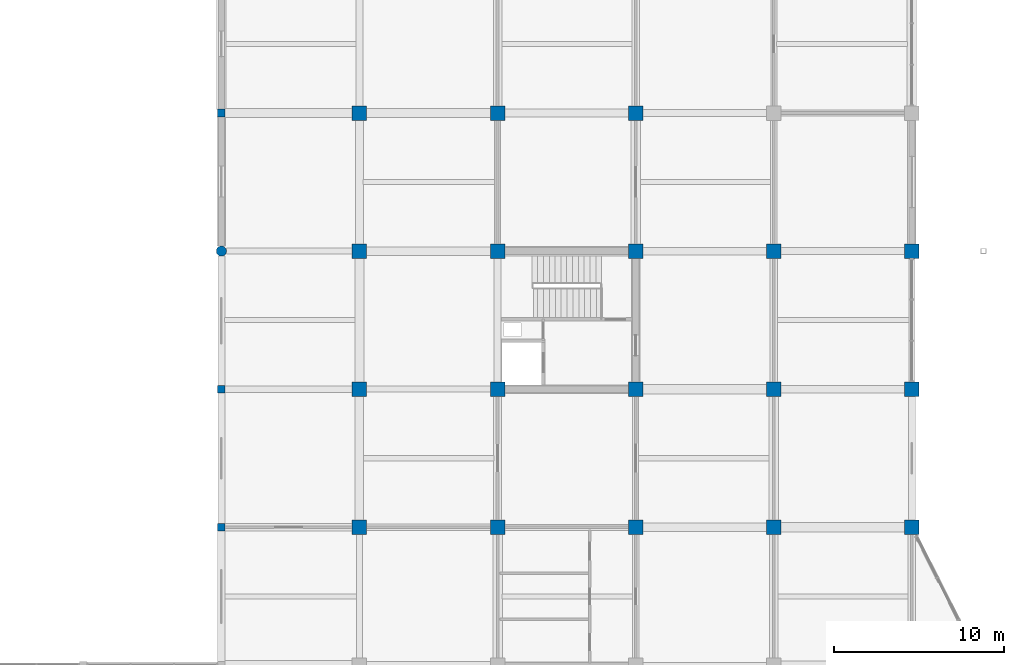
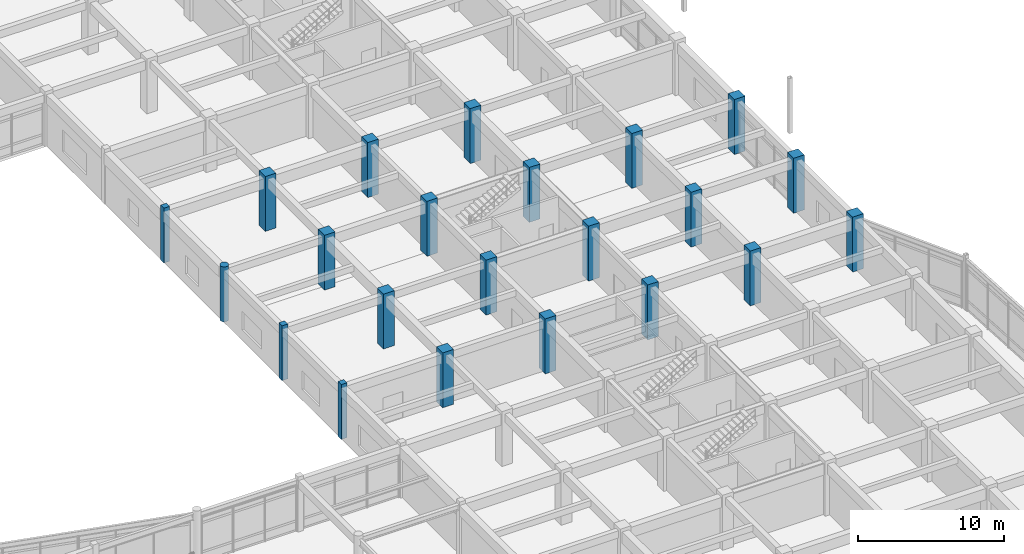
# One storey, part 10 of 93: 22 columns.
"""IFC4 building model written with IfcOpenShell, lengths in metres."""

from ifc_helpers import new_model, si_unit, direction, frame, origin, origin_2d, place, context, subcontext, project, spatial, rectangle, circle, extrude, material, material_profile, profile_set, type_object, element, save


model = new_model("IFC4")

# Units and contexts
model_context = context("Model", 3, precision=1e-05, world=origin(), true_north=direction((0.0, 1.0)))
body_context = subcontext(model_context, "Body", "Model", "MODEL_VIEW")
ifc_project = project(units=[si_unit("LENGTHUNIT", "METRE"), si_unit("AREAUNIT", "SQUARE_METRE"), si_unit("VOLUMEUNIT", "CUBIC_METRE"), si_unit("PLANEANGLEUNIT", "RADIAN"), si_unit("MASSUNIT", "GRAM", prefix="KILO")], contexts=[model_context])

# Site, building, storey
site_placement = place(None, origin())
site = spatial("IfcSite", under=ifc_project, at=site_placement, CompositionType="ELEMENT")
building_placement = place(site_placement, origin())
building = spatial("IfcBuilding", under=site, at=building_placement, Name="Vaudrelin Polytechnic", CompositionType="ELEMENT")
storey_placement = place(building_placement, frame((0.0, 0.0, 5.10009765625)))
storey = spatial("IfcBuildingStorey", under=building, at=storey_placement, Name="L01", CompositionType="ELEMENT", Elevation=5.10009765625)

# Columns
ifc_material_1 = material(Name="Concrete 40 MPa", Category="concrete")
ifc_material_profile_1 = material_profile(ifc_material_1, rectangle(XDim=0.449951171875, YDim=0.449951171875, at=origin_2d()), Name="RC450x450")
ifc_profile_set_1 = profile_set([ifc_material_profile_1], Name="Concrete 40 MPa")
column_type_1 = type_object("IfcColumnType", Name="COL-C-RC450", PredefinedType="COLUMN", material=ifc_profile_set_1)
for number, where, z_axis, x_axis, name in (
    (1, (129.60009765625, 56.699951171875, 0.0), (0.0, 0.0, 1.0), (1.0, 0.0, 0.0), "Column L01 17-8"),
    (2, (129.60009765625, 64.800048828125, 0.0), (0.0, 0.0, 1.0), (1.0, 0.0, 0.0), "Column L01 17-9"),
    (3, (129.60009765625, 81.0, 0.0), (0.0, 0.0, 1.0), (1.0, 0.0, 0.0), "Column L01 17-11"),
):
    element("IfcColumn", number, at=place(storey_placement, frame(where, z_axis=z_axis, x_axis=x_axis)), inside=storey, type_object=column_type_1, Name=name, PredefinedType="COLUMN", context=body_context, shape_type="SweptSolid", body=[
        extrude(rectangle(XDim=0.449951171875, YDim=0.449951171875, at=origin_2d()), origin(), (0.0, 0.0, 1.0), 4.58984375),
    ])
ifc_material_2 = material(Name="Concrete 50 MPa", Category="concrete")
ifc_material_profile_2 = material_profile(ifc_material_2, rectangle(XDim=0.85009765625, YDim=0.85009765625, at=origin_2d()), Name="RC850x850")
ifc_profile_set_2 = profile_set([ifc_material_profile_2], Name="Concrete 50 MPa")
column_type_2 = type_object("IfcColumnType", Name="COL-C-RC850", PredefinedType="COLUMN", material=ifc_profile_set_2)
for number, where, z_axis, x_axis, name in (
    (4, (137.699951171875, 56.699951171875, 0.0), (0.0, 0.0, 1.0), (1.0, 0.0, 0.0), "Column L01 18-8"),
    (5, (137.699951171875, 64.800048828125, 0.0), (0.0, 0.0, 1.0), (1.0, 0.0, 0.0), "Column L01 18-9"),
    (6, (137.699951171875, 72.89990234375, 0.0), (0.0, 0.0, 1.0), (1.0, 0.0, 0.0), "Column L01 18-10"),
    (7, (137.699951171875, 81.0, 0.0), (0.0, 0.0, 1.0), (1.0, 0.0, 0.0), "Column L01 18-11"),
    (8, (145.800048828125, 56.699951171875, 0.0), (0.0, 0.0, 1.0), (1.0, 0.0, 0.0), "Column L01 19-8"),
    (9, (145.800048828125, 64.800048828125, 0.0), (0.0, 0.0, 1.0), (1.0, 0.0, 0.0), "Column L01 19-9"),
    (10, (145.800048828125, 72.89990234375, 0.0), (0.0, 0.0, 1.0), (1.0, 0.0, 0.0), "Column L01 19-10"),
    (11, (145.800048828125, 81.0, 0.0), (0.0, 0.0, 1.0), (1.0, 0.0, 0.0), "Column L01 19-11"),
    (12, (153.89990234375, 56.699951171875, 0.0), (0.0, 0.0, 1.0), (1.0, 0.0, 0.0), "Column L01 20-8"),
    (13, (153.89990234375, 64.800048828125, 0.0), (0.0, 0.0, 1.0), (1.0, 0.0, 0.0), "Column L01 20-9"),
    (14, (153.89990234375, 72.89990234375, 0.0), (0.0, 0.0, 1.0), (1.0, 0.0, 0.0), "Column L01 20-10"),
    (15, (153.89990234375, 81.0, 0.0), (0.0, 0.0, 1.0), (1.0, 0.0, 0.0), "Column L01 20-11"),
    (16, (162.0, 56.699951171875, 0.0), (0.0, 0.0, 1.0), (1.0, 0.0, 0.0), "Column L01 21-8"),
    (17, (162.0, 64.800048828125, 0.0), (0.0, 0.0, 1.0), (1.0, 0.0, 0.0), "Column L01 21-9"),
    (18, (162.0, 72.89990234375, 0.0), (0.0, 0.0, 1.0), (1.0, 0.0, 0.0), "Column L01 21-10"),
    (19, (170.10009765625, 56.699951171875, 0.0), (0.0, 0.0, 1.0), (1.0, 0.0, 0.0), "Column L01 22-8"),
    (20, (170.10009765625, 64.800048828125, 0.0), (0.0, 0.0, 1.0), (1.0, 0.0, 0.0), "Column L01 22-9"),
    (21, (170.10009765625, 72.89990234375, 0.0), (0.0, 0.0, 1.0), (1.0, 0.0, 0.0), "Column L01 22-10"),
):
    element("IfcColumn", number, at=place(storey_placement, frame(where, z_axis=z_axis, x_axis=x_axis)), inside=storey, type_object=column_type_2, Name=name, PredefinedType="COLUMN", context=body_context, shape_type="SweptSolid", body=[
        extrude(rectangle(XDim=0.85009765625, YDim=0.85009765625, at=origin_2d()), origin(), (0.0, 0.0, 1.0), 4.58984375),
    ])
ifc_material_profile_3 = material_profile(ifc_material_1, circle(Radius=0.300048828125, at=origin_2d()), Name="RCCOL600")
ifc_profile_set_3 = profile_set([ifc_material_profile_3], Name="Concrete 40 MPa")
column_type_3 = type_object("IfcColumnType", Name="COL-C-RCD600", PredefinedType="COLUMN", material=ifc_profile_set_3)
column_placement = place(storey_placement, frame((129.60009765625, 72.89990234375, 0.0), z_axis=(0.0, 0.0, 1.0), x_axis=(1.0, 0.0, 0.0)))
element("IfcColumn", 22, at=column_placement, inside=storey, type_object=column_type_3, Name="Column L01 17-10", PredefinedType="COLUMN", context=body_context, shape_type="SweptSolid", body=[
    extrude(circle(Radius=0.300048828125, at=origin_2d()), origin(), (0.0, 0.0, 1.0), 4.58984375),
])

save(model, "model.ifc")
